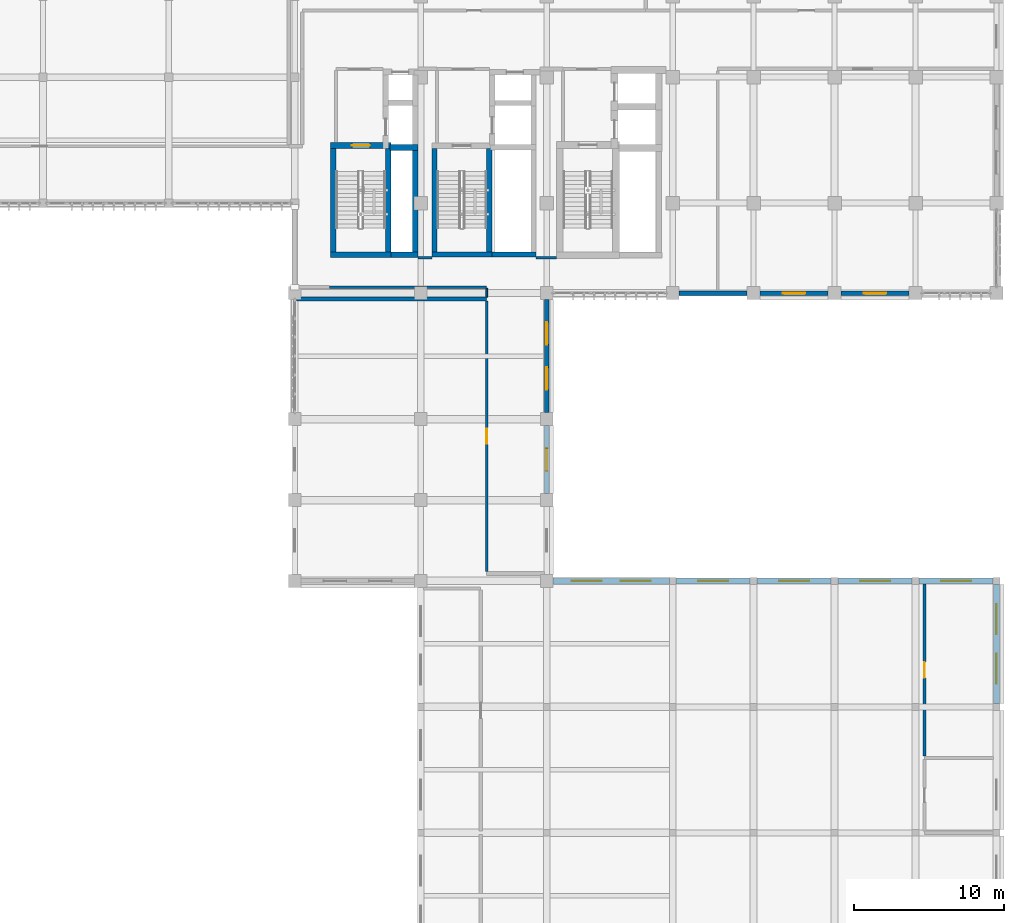
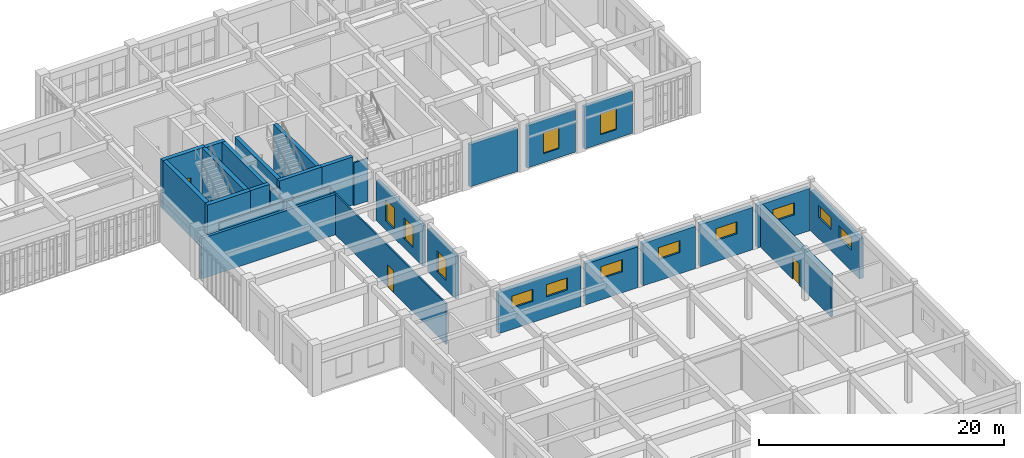
# One storey, part 95 of 106: 29 walls, 13 windows, 3 doors, 16 openings.
"""IFC4 building model written with IfcOpenShell, lengths in metres."""

from ifc_helpers import new_model, si_unit, direction, frame, frame_2d, origin, place, context, subcontext, project, spatial, rectangle, extrude, material, layer, layer_set, type_object, element, fill, save


model = new_model("IFC4")

# Units and contexts
model_context = context("Model", 3, precision=1e-05, world=origin(), true_north=direction((0.0, 1.0)))
body_context = subcontext(model_context, "Body", "Model", "MODEL_VIEW")
ifc_project = project(units=[si_unit("LENGTHUNIT", "METRE"), si_unit("AREAUNIT", "SQUARE_METRE"), si_unit("VOLUMEUNIT", "CUBIC_METRE"), si_unit("PLANEANGLEUNIT", "RADIAN"), si_unit("MASSUNIT", "GRAM", prefix="KILO")], contexts=[model_context])

# Site, building, storey
site_placement = place(None, origin())
site = spatial("IfcSite", under=ifc_project, at=site_placement, CompositionType="ELEMENT")
building_placement = place(site_placement, origin())
building = spatial("IfcBuilding", under=site, at=building_placement, Name="Krzemoval Escarpment Law Courts", CompositionType="ELEMENT")
storey_placement = place(building_placement, frame((0.0, 0.0, 5.10009765625)))
storey = spatial("IfcBuildingStorey", under=building, at=storey_placement, Name="L01", CompositionType="ELEMENT", Elevation=5.10009765625)

# Wall, opening, window
ifc_material_1 = material(Name="Precast concrete C40/50", Category="concrete")
ifc_layer_1 = layer(ifc_material_1, 0.300048828125)
ifc_layer_set_1 = layer_set([ifc_layer_1], Name="Precast concrete C40/50")
wall_type_1 = type_object("IfcWallType", Name="WL-EXT-300", PredefinedType="SOLIDWALL", material=ifc_layer_set_1)
wall_1_placement = place(storey_placement, frame((166.97509765625, 93.60009765625, 0.0), z_axis=(0.0, 0.0, 1.0), x_axis=(-1.0, 0.0, 0.0)))
wall_1 = element("IfcWall", 1, at=wall_1_placement, inside=storey, type_object=wall_type_1, Name="Exterior Wall EW-L01-0200", PredefinedType="SOLIDWALL", context=body_context, shape_type="SweptSolid", body=[
    extrude(rectangle(XDim=4.550048828125, YDim=0.300048828125, at=frame_2d((2.27490234375, 0.0))), origin(), (0.0, 0.0, 1.0), 4.219970703125),
])
opening_1_placement = place(wall_1_placement, frame((1.52490234375, 0.0, 0.89990234375)))
opening_1 = element("IfcOpeningElement", 2, at=opening_1_placement, cuts=wall_1, Name="Opening WN-L01-0192", PredefinedType="OPENING", context=body_context, shape_type="SweptSolid", body=[
    extrude(rectangle(XDim=1.5, YDim=2.10009765625, at=frame_2d((0.75, 1.050048828125))), frame((0.0, 0.16502, 0.0), z_axis=(0.0, -1.0, 0.0), x_axis=(1.0, 0.0, 0.0)), (0.0, 0.0, 1.0), 0.33005),
])
ifc_material_2 = material(Name="Thermally Broken Aluminium Frame with Triple Low-E Acoustic Glass", Category="aluminium")
window_type_1 = type_object("IfcWindowType", Name="WN-1500x2100", PartitioningType="SINGLE_PANEL", PredefinedType="WINDOW", material=ifc_material_2)
window_1_placement = place(opening_1_placement, origin())
window_1 = element("IfcWindow", 3, at=window_1_placement, inside=storey, type_object=window_type_1, Name="Facade Window WN-L01-0192", OverallHeight=2.10009765625, OverallWidth=1.5, PartitioningType="SINGLE_PANEL", PredefinedType="WINDOW", context=body_context, shape_type="SweptSolid", body=[
    extrude(rectangle(XDim=1.5, YDim=2.10009765625, at=frame_2d((0.75, 1.050048828125))), frame((0.0, 0.030029296875, 0.0), z_axis=(0.0, -1.0, 0.0), x_axis=(1.0, 0.0, 0.0)), (0.0, 0.0, 1.0), 0.06005859375),
])
fill(opening_1, window_1)

wall_2_placement = place(storey_placement, frame((161.574951171875, 93.60009765625, 0.0), z_axis=(0.0, 0.0, 1.0), x_axis=(-1.0, 0.0, 0.0)))
wall_2 = element("IfcWall", 4, at=wall_2_placement, inside=storey, type_object=wall_type_1, Name="Exterior Wall EW-L01-0201", PredefinedType="SOLIDWALL", context=body_context, shape_type="SweptSolid", body=[
    extrude(rectangle(XDim=4.550048828125, YDim=0.300048828125, at=frame_2d((2.27490234375, 0.0))), origin(), (0.0, 0.0, 1.0), 4.219970703125),
])
opening_2_placement = place(wall_2_placement, frame((1.52490234375, 0.0, 0.89990234375)))
opening_2 = element("IfcOpeningElement", 5, at=opening_2_placement, cuts=wall_2, Name="Opening WN-L01-0193", PredefinedType="OPENING", context=body_context, shape_type="SweptSolid", body=[
    extrude(rectangle(XDim=1.5, YDim=2.10009765625, at=frame_2d((0.75, 1.050048828125))), frame((0.0, 0.16502, 0.0), z_axis=(0.0, -1.0, 0.0), x_axis=(1.0, 0.0, 0.0)), (0.0, 0.0, 1.0), 0.33005),
])
window_2_placement = place(opening_2_placement, origin())
window_2 = element("IfcWindow", 6, at=window_2_placement, inside=storey, type_object=window_type_1, Name="Facade Window WN-L01-0193", OverallHeight=2.10009765625, OverallWidth=1.5, PartitioningType="SINGLE_PANEL", PredefinedType="WINDOW", context=body_context, shape_type="SweptSolid", body=[
    extrude(rectangle(XDim=1.5, YDim=2.10009765625, at=frame_2d((0.75, 1.050048828125))), frame((0.0, 0.030029296875, 0.0), z_axis=(0.0, -1.0, 0.0), x_axis=(1.0, 0.0, 0.0)), (0.0, 0.0, 1.0), 0.06005859375),
])
fill(opening_2, window_2)

# Wall
wall_3_placement = place(storey_placement, frame((156.175048828125, 93.60009765625, 0.0), z_axis=(0.0, 0.0, 1.0), x_axis=(-1.0, 0.0, 0.0)))
element("IfcWall", 7, at=wall_3_placement, inside=storey, type_object=wall_type_1, Name="Exterior Wall EW-L01-0202", PredefinedType="SOLIDWALL", context=body_context, shape_type="SweptSolid", body=[
    extrude(rectangle(XDim=4.550048828125, YDim=0.300048828125, at=frame_2d((2.27490234375, 0.0))), origin(), (0.0, 0.0, 1.0), 4.219970703125),
])

# Wall, openings, windows
wall_4_placement = place(storey_placement, frame((142.800048828125, 93.175048828125, 0.0), z_axis=(0.0, 0.0, 1.0), x_axis=(0.0, -1.0, 0.0)))
wall_4 = element("IfcWall", 8, at=wall_4_placement, inside=storey, type_object=wall_type_1, Name="Exterior Wall EW-L01-0203", PredefinedType="SOLIDWALL", context=body_context, shape_type="SweptSolid", body=[
    extrude(rectangle(XDim=7.550048828125, YDim=0.300048828125, at=frame_2d((3.77490234375, 0.0))), origin(), (0.0, 0.0, 1.0), 4.02001953125),
])
opening_3_placement = place(wall_4_placement, frame((1.51708984375, 0.0, 0.89990234375)))
opening_3 = element("IfcOpeningElement", 9, at=opening_3_placement, cuts=wall_4, Name="Opening WN-L01-0194", PredefinedType="OPENING", context=body_context, shape_type="SweptSolid", body=[
    extrude(rectangle(XDim=1.5, YDim=2.10009765625, at=frame_2d((0.75, 1.050048828125))), frame((0.0, 0.16502, 0.0), z_axis=(0.0, -1.0, 0.0), x_axis=(1.0, 0.0, 0.0)), (0.0, 0.0, 1.0), 0.33005),
])
opening_4_placement = place(wall_4_placement, frame((4.532958984375, 0.0, 0.89990234375)))
opening_4 = element("IfcOpeningElement", 10, at=opening_4_placement, cuts=wall_4, Name="Opening WN-L01-0195", PredefinedType="OPENING", context=body_context, shape_type="SweptSolid", body=[
    extrude(rectangle(XDim=1.5, YDim=2.10009765625, at=frame_2d((0.75, 1.050048828125))), frame((0.0, 0.16502, 0.0), z_axis=(0.0, -1.0, 0.0), x_axis=(1.0, 0.0, 0.0)), (0.0, 0.0, 1.0), 0.33005),
])
window_3_placement = place(opening_3_placement, origin())
window_3 = element("IfcWindow", 11, at=window_3_placement, inside=storey, type_object=window_type_1, Name="Facade Window WN-L01-0194", OverallHeight=2.10009765625, OverallWidth=1.5, PartitioningType="SINGLE_PANEL", PredefinedType="WINDOW", context=body_context, shape_type="SweptSolid", body=[
    extrude(rectangle(XDim=1.5, YDim=2.10009765625, at=frame_2d((0.75, 1.050048828125))), frame((0.0, 0.030029296875, 0.0), z_axis=(0.0, -1.0, 0.0), x_axis=(1.0, 0.0, 0.0)), (0.0, 0.0, 1.0), 0.06005859375),
])
fill(opening_3, window_3)
window_4_placement = place(opening_4_placement, origin())
window_4 = element("IfcWindow", 12, at=window_4_placement, inside=storey, type_object=window_type_1, Name="Facade Window WN-L01-0195", OverallHeight=2.10009765625, OverallWidth=1.5, PartitioningType="SINGLE_PANEL", PredefinedType="WINDOW", context=body_context, shape_type="SweptSolid", body=[
    extrude(rectangle(XDim=1.5, YDim=2.10009765625, at=frame_2d((0.75, 1.050048828125))), frame((0.0, 0.030029296875, 0.0), z_axis=(0.0, -1.0, 0.0), x_axis=(1.0, 0.0, 0.0)), (0.0, 0.0, 1.0), 0.06005859375),
])
fill(opening_4, window_4)

# Wall, opening, window
wall_5_placement = place(storey_placement, frame((142.800048828125, 84.77490234375, 0.0), z_axis=(0.0, 0.0, 1.0), x_axis=(0.0, -1.0, 0.0)))
wall_5 = element("IfcWall", 13, at=wall_5_placement, inside=storey, type_object=wall_type_1, Name="Exterior Wall EW-L01-0204", PredefinedType="SOLIDWALL", context=body_context, shape_type="SweptSolid", body=[
    extrude(rectangle(XDim=4.5498046875, YDim=0.300048828125, at=frame_2d((2.27490234375, 0.0))), origin(), (0.0, 0.0, 1.0), 4.27001953125),
])
opening_5_placement = place(wall_5_placement, frame((1.52490234375, 0.0, 0.89990234375)))
opening_5 = element("IfcOpeningElement", 14, at=opening_5_placement, cuts=wall_5, Name="Opening WN-L01-0196", PredefinedType="OPENING", context=body_context, shape_type="SweptSolid", body=[
    extrude(rectangle(XDim=1.5, YDim=2.10009765625, at=frame_2d((0.75, 1.050048828125))), frame((0.0, 0.16502, 0.0), z_axis=(0.0, -1.0, 0.0), x_axis=(1.0, 0.0, 0.0)), (0.0, 0.0, 1.0), 0.33005),
])
window_5_placement = place(opening_5_placement, origin())
window_5 = element("IfcWindow", 15, at=window_5_placement, inside=storey, type_object=window_type_1, Name="Facade Window WN-L01-0196", OverallHeight=2.10009765625, OverallWidth=1.5, PartitioningType="SINGLE_PANEL", PredefinedType="WINDOW", context=body_context, shape_type="SweptSolid", body=[
    extrude(rectangle(XDim=1.5, YDim=2.10009765625, at=frame_2d((0.75, 1.050048828125))), frame((0.0, 0.030029296875, 0.0), z_axis=(0.0, -1.0, 0.0), x_axis=(1.0, 0.0, 0.0)), (0.0, 0.0, 1.0), 0.06005859375),
])
fill(opening_5, window_5)

# Wall, openings, windows
ifc_material_3 = material(Name="Concrete C40/50", Category="concrete")
ifc_layer_2 = layer(ifc_material_3, 0.3798828125)
ifc_layer_set_2 = layer_set([ifc_layer_2], Name="Concrete C40/50")
wall_type_2 = type_object("IfcWallType", Name="WL-EXT-380", PredefinedType="SOLIDWALL", material=ifc_layer_set_2)
wall_6_placement = place(storey_placement, frame((143.22509765625, 74.39990234375, 0.0), z_axis=(0.0, 0.0, 1.0), x_axis=(1.0, 0.0, 0.0)))
wall_6 = element("IfcWall", 16, at=wall_6_placement, inside=storey, type_object=wall_type_2, Name="Exterior Wall EW-L01-0206", PredefinedType="SOLIDWALL", context=body_context, shape_type="SweptSolid", body=[
    extrude(rectangle(XDim=7.75, YDim=0.3798828125, at=frame_2d((3.875, 0.0))), origin(), (0.0, 0.0, 1.0), 4.06982421875),
])
opening_6_placement = place(wall_6_placement, frame((1.25, 0.0, 2.10009765625)))
opening_6 = element("IfcOpeningElement", 17, at=opening_6_placement, cuts=wall_6, Name="Opening WN-L01-0198", PredefinedType="OPENING", context=body_context, shape_type="SweptSolid", body=[
    extrude(rectangle(XDim=2.0, YDim=1.199951171875, at=frame_2d((1.0, 0.60009765625))), frame((0.0, 0.20494, 0.0), z_axis=(0.0, -1.0, 0.0), x_axis=(1.0, 0.0, 0.0)), (0.0, 0.0, 1.0), 0.40988),
])
opening_7_placement = place(wall_6_placement, frame((4.5, 0.0, 2.10009765625)))
opening_7 = element("IfcOpeningElement", 18, at=opening_7_placement, cuts=wall_6, Name="Opening WN-L01-0199", PredefinedType="OPENING", context=body_context, shape_type="SweptSolid", body=[
    extrude(rectangle(XDim=2.0, YDim=1.199951171875, at=frame_2d((1.0, 0.60009765625))), frame((0.0, 0.20494, 0.0), z_axis=(0.0, -1.0, 0.0), x_axis=(1.0, 0.0, 0.0)), (0.0, 0.0, 1.0), 0.40988),
])
ifc_material_4 = material(Name="Thermally Broken Aluminium Frame with Triple Low-E Acoustic Glass", Category="aluminium")
window_type_2 = type_object("IfcWindowType", Name="WN-2000x1200", PartitioningType="SINGLE_PANEL", PredefinedType="WINDOW", material=ifc_material_4)
window_6_placement = place(opening_6_placement, origin())
window_6 = element("IfcWindow", 19, at=window_6_placement, inside=storey, type_object=window_type_2, Name="Facade Window WN-L01-0198", OverallHeight=1.199951171875, OverallWidth=2.0, PartitioningType="SINGLE_PANEL", PredefinedType="WINDOW", context=body_context, shape_type="SweptSolid", body=[
    extrude(rectangle(XDim=2.0, YDim=1.199951171875, at=frame_2d((1.0, 0.60009765625))), frame((0.0, 0.030029296875, 0.0), z_axis=(0.0, -1.0, 0.0), x_axis=(1.0, 0.0, 0.0)), (0.0, 0.0, 1.0), 0.06005859375),
])
fill(opening_6, window_6)
window_7_placement = place(opening_7_placement, origin())
window_7 = element("IfcWindow", 20, at=window_7_placement, inside=storey, type_object=window_type_2, Name="Facade Window WN-L01-0199", OverallHeight=1.199951171875, OverallWidth=2.0, PartitioningType="SINGLE_PANEL", PredefinedType="WINDOW", context=body_context, shape_type="SweptSolid", body=[
    extrude(rectangle(XDim=2.0, YDim=1.199951171875, at=frame_2d((1.0, 0.60009765625))), frame((0.0, 0.030029296875, 0.0), z_axis=(0.0, -1.0, 0.0), x_axis=(1.0, 0.0, 0.0)), (0.0, 0.0, 1.0), 0.06005859375),
])
fill(opening_7, window_7)

# Wall, opening, window
wall_7_placement = place(storey_placement, frame((151.425048828125, 74.39990234375, 0.0), z_axis=(0.0, 0.0, 1.0), x_axis=(1.0, 0.0, 0.0)))
wall_7 = element("IfcWall", 21, at=wall_7_placement, inside=storey, type_object=wall_type_2, Name="Exterior Wall EW-L01-0207", PredefinedType="SOLIDWALL", context=body_context, shape_type="SweptSolid", body=[
    extrude(rectangle(XDim=4.949951171875, YDim=0.3798828125, at=frame_2d((2.47509765625, 0.0))), origin(), (0.0, 0.0, 1.0), 4.06982421875),
])
opening_8_placement = place(wall_7_placement, frame((1.47509765625, 0.0, 2.10009765625)))
opening_8 = element("IfcOpeningElement", 22, at=opening_8_placement, cuts=wall_7, Name="Opening WN-L01-0200", PredefinedType="OPENING", context=body_context, shape_type="SweptSolid", body=[
    extrude(rectangle(XDim=2.0, YDim=1.199951171875, at=frame_2d((1.0, 0.60009765625))), frame((0.0, 0.20494, 0.0), z_axis=(0.0, -1.0, 0.0), x_axis=(1.0, 0.0, 0.0)), (0.0, 0.0, 1.0), 0.40988),
])
window_8_placement = place(opening_8_placement, origin())
window_8 = element("IfcWindow", 23, at=window_8_placement, inside=storey, type_object=window_type_2, Name="Facade Window WN-L01-0200", OverallHeight=1.199951171875, OverallWidth=2.0, PartitioningType="SINGLE_PANEL", PredefinedType="WINDOW", context=body_context, shape_type="SweptSolid", body=[
    extrude(rectangle(XDim=2.0, YDim=1.199951171875, at=frame_2d((1.0, 0.60009765625))), frame((0.0, 0.030029296875, 0.0), z_axis=(0.0, -1.0, 0.0), x_axis=(1.0, 0.0, 0.0)), (0.0, 0.0, 1.0), 0.06005859375),
])
fill(opening_8, window_8)

wall_8_placement = place(storey_placement, frame((156.824951171875, 74.39990234375, 0.0), z_axis=(0.0, 0.0, 1.0), x_axis=(1.0, 0.0, 0.0)))
wall_8 = element("IfcWall", 24, at=wall_8_placement, inside=storey, type_object=wall_type_2, Name="Exterior Wall EW-L01-0208", PredefinedType="SOLIDWALL", context=body_context, shape_type="SweptSolid", body=[
    extrude(rectangle(XDim=4.949951171875, YDim=0.3798828125, at=frame_2d((2.47509765625, 0.0))), origin(), (0.0, 0.0, 1.0), 4.219970703125),
])
opening_9_placement = place(wall_8_placement, frame((1.47509765625, 0.0, 2.10009765625)))
opening_9 = element("IfcOpeningElement", 25, at=opening_9_placement, cuts=wall_8, Name="Opening WN-L01-0201", PredefinedType="OPENING", context=body_context, shape_type="SweptSolid", body=[
    extrude(rectangle(XDim=2.0, YDim=1.199951171875, at=frame_2d((1.0, 0.60009765625))), frame((0.0, 0.20494, 0.0), z_axis=(0.0, -1.0, 0.0), x_axis=(1.0, 0.0, 0.0)), (0.0, 0.0, 1.0), 0.40988),
])
window_9_placement = place(opening_9_placement, origin())
window_9 = element("IfcWindow", 26, at=window_9_placement, inside=storey, type_object=window_type_2, Name="Facade Window WN-L01-0201", OverallHeight=1.199951171875, OverallWidth=2.0, PartitioningType="SINGLE_PANEL", PredefinedType="WINDOW", context=body_context, shape_type="SweptSolid", body=[
    extrude(rectangle(XDim=2.0, YDim=1.199951171875, at=frame_2d((1.0, 0.60009765625))), frame((0.0, 0.030029296875, 0.0), z_axis=(0.0, -1.0, 0.0), x_axis=(1.0, 0.0, 0.0)), (0.0, 0.0, 1.0), 0.06005859375),
])
fill(opening_9, window_9)

wall_9_placement = place(storey_placement, frame((162.22509765625, 74.39990234375, 0.0), z_axis=(0.0, 0.0, 1.0), x_axis=(1.0, 0.0, 0.0)))
wall_9 = element("IfcWall", 27, at=wall_9_placement, inside=storey, type_object=wall_type_2, Name="Exterior Wall EW-L01-0209", PredefinedType="SOLIDWALL", context=body_context, shape_type="SweptSolid", body=[
    extrude(rectangle(XDim=4.949951171875, YDim=0.3798828125, at=frame_2d((2.47509765625, 0.0))), origin(), (0.0, 0.0, 1.0), 4.219970703125),
])
opening_10_placement = place(wall_9_placement, frame((1.47509765625, 0.0, 2.10009765625)))
opening_10 = element("IfcOpeningElement", 28, at=opening_10_placement, cuts=wall_9, Name="Opening WN-L01-0202", PredefinedType="OPENING", context=body_context, shape_type="SweptSolid", body=[
    extrude(rectangle(XDim=2.0, YDim=1.199951171875, at=frame_2d((1.0, 0.60009765625))), frame((0.0, 0.20494, 0.0), z_axis=(0.0, -1.0, 0.0), x_axis=(1.0, 0.0, 0.0)), (0.0, 0.0, 1.0), 0.40988),
])
window_10_placement = place(opening_10_placement, origin())
window_10 = element("IfcWindow", 29, at=window_10_placement, inside=storey, type_object=window_type_2, Name="Facade Window WN-L01-0202", OverallHeight=1.199951171875, OverallWidth=2.0, PartitioningType="SINGLE_PANEL", PredefinedType="WINDOW", context=body_context, shape_type="SweptSolid", body=[
    extrude(rectangle(XDim=2.0, YDim=1.199951171875, at=frame_2d((1.0, 0.60009765625))), frame((0.0, 0.030029296875, 0.0), z_axis=(0.0, -1.0, 0.0), x_axis=(1.0, 0.0, 0.0)), (0.0, 0.0, 1.0), 0.06005859375),
])
fill(opening_10, window_10)

wall_10_placement = place(storey_placement, frame((167.625, 74.39990234375, 0.0), z_axis=(0.0, 0.0, 1.0), x_axis=(1.0, 0.0, 0.0)))
wall_10 = element("IfcWall", 30, at=wall_10_placement, inside=storey, type_object=wall_type_2, Name="Exterior Wall EW-L01-0210", PredefinedType="SOLIDWALL", context=body_context, shape_type="SweptSolid", body=[
    extrude(rectangle(XDim=4.949951171875, YDim=0.3798828125, at=frame_2d((2.47509765625, 0.0))), origin(), (0.0, 0.0, 1.0), 4.219970703125),
])
opening_11_placement = place(wall_10_placement, frame((1.47509765625, 0.0, 2.10009765625)))
opening_11 = element("IfcOpeningElement", 31, at=opening_11_placement, cuts=wall_10, Name="Opening WN-L01-0203", PredefinedType="OPENING", context=body_context, shape_type="SweptSolid", body=[
    extrude(rectangle(XDim=2.0, YDim=1.199951171875, at=frame_2d((1.0, 0.60009765625))), frame((0.0, 0.20494, 0.0), z_axis=(0.0, -1.0, 0.0), x_axis=(1.0, 0.0, 0.0)), (0.0, 0.0, 1.0), 0.40988),
])
window_11_placement = place(opening_11_placement, origin())
window_11 = element("IfcWindow", 32, at=window_11_placement, inside=storey, type_object=window_type_2, Name="Facade Window WN-L01-0203", OverallHeight=1.199951171875, OverallWidth=2.0, PartitioningType="SINGLE_PANEL", PredefinedType="WINDOW", context=body_context, shape_type="SweptSolid", body=[
    extrude(rectangle(XDim=2.0, YDim=1.199951171875, at=frame_2d((1.0, 0.60009765625))), frame((0.0, 0.030029296875, 0.0), z_axis=(0.0, -1.0, 0.0), x_axis=(1.0, 0.0, 0.0)), (0.0, 0.0, 1.0), 0.06005859375),
])
fill(opening_11, window_11)

# Wall, openings, windows
wall_11_placement = place(storey_placement, frame((172.800048828125, 74.175048828125, 0.0), z_axis=(0.0, 0.0, 1.0), x_axis=(0.0, -1.0, 0.0)))
wall_11 = element("IfcWall", 33, at=wall_11_placement, inside=storey, type_object=wall_type_2, Name="Exterior Wall EW-L01-0211", PredefinedType="SOLIDWALL", context=body_context, shape_type="SweptSolid", body=[
    extrude(rectangle(XDim=7.949951171875, YDim=0.3798828125, at=frame_2d((3.97509765625, 0.0))), origin(), (0.0, 0.0, 1.0), 4.02001953125),
])
opening_12_placement = place(wall_11_placement, frame((1.31689453125, 0.0, 2.10009765625)))
opening_12 = element("IfcOpeningElement", 34, at=opening_12_placement, cuts=wall_11, Name="Opening WN-L01-0204", PredefinedType="OPENING", context=body_context, shape_type="SweptSolid", body=[
    extrude(rectangle(XDim=2.0, YDim=1.199951171875, at=frame_2d((1.0, 0.60009765625))), frame((0.0, 0.20494, 0.0), z_axis=(0.0, -1.0, 0.0), x_axis=(1.0, 0.0, 0.0)), (0.0, 0.0, 1.0), 0.40988),
])
opening_13_placement = place(wall_11_placement, frame((4.633056640625, 0.0, 2.10009765625)))
opening_13 = element("IfcOpeningElement", 35, at=opening_13_placement, cuts=wall_11, Name="Opening WN-L01-0205", PredefinedType="OPENING", context=body_context, shape_type="SweptSolid", body=[
    extrude(rectangle(XDim=2.0, YDim=1.199951171875, at=frame_2d((1.0, 0.60009765625))), frame((0.0, 0.20494, 0.0), z_axis=(0.0, -1.0, 0.0), x_axis=(1.0, 0.0, 0.0)), (0.0, 0.0, 1.0), 0.40988),
])
window_12_placement = place(opening_12_placement, origin())
window_12 = element("IfcWindow", 36, at=window_12_placement, inside=storey, type_object=window_type_2, Name="Facade Window WN-L01-0204", OverallHeight=1.199951171875, OverallWidth=2.0, PartitioningType="SINGLE_PANEL", PredefinedType="WINDOW", context=body_context, shape_type="SweptSolid", body=[
    extrude(rectangle(XDim=2.0, YDim=1.199951171875, at=frame_2d((1.0, 0.60009765625))), frame((0.0, 0.030029296875, 0.0), z_axis=(0.0, -1.0, 0.0), x_axis=(1.0, 0.0, 0.0)), (0.0, 0.0, 1.0), 0.06005859375),
])
fill(opening_12, window_12)
window_13_placement = place(opening_13_placement, origin())
window_13 = element("IfcWindow", 37, at=window_13_placement, inside=storey, type_object=window_type_2, Name="Facade Window WN-L01-0205", OverallHeight=1.199951171875, OverallWidth=2.0, PartitioningType="SINGLE_PANEL", PredefinedType="WINDOW", context=body_context, shape_type="SweptSolid", body=[
    extrude(rectangle(XDim=2.0, YDim=1.199951171875, at=frame_2d((1.0, 0.60009765625))), frame((0.0, 0.030029296875, 0.0), z_axis=(0.0, -1.0, 0.0), x_axis=(1.0, 0.0, 0.0)), (0.0, 0.0, 1.0), 0.06005859375),
])
fill(opening_13, window_13)

# Wall
ifc_material_5 = material(Name="Light Internal Subdivision Partition", Category="gypsum")
ifc_layer_3 = layer(ifc_material_5, 0.114990234375)
ifc_layer_set_3 = layer_set([ifc_layer_3], Name="Light Internal Subdivision Partition")
wall_type_3 = type_object("IfcWallType", Name="WL-PRT-115", PredefinedType="PARTITIONING", material=ifc_layer_set_3)
wall_12_placement = place(storey_placement, frame((138.800048828125, 93.33203125, 0.0), z_axis=(0.0, 0.0, 1.0), x_axis=(0.0, 1.0, 0.0)))
element("IfcWall", 38, at=wall_12_placement, inside=storey, type_object=wall_type_3, Name="Interior Partition PW-L01-0357", PredefinedType="PARTITIONING", context=body_context, shape_type="SweptSolid", body=[
    extrude(rectangle(XDim=0.5859375, YDim=0.114990234375, at=frame_2d((0.29296875, 0.0))), origin(), (0.0, 0.0, 1.0), 4.119873046875),
])

# Wall, opening, door
ifc_material_6 = material(Name="Sanitary Moisture-Resistant Partition", Category="gypsum")
ifc_layer_4 = layer(ifc_material_6, 0.139892578125)
ifc_layer_set_4 = layer_set([ifc_layer_4], Name="Sanitary Moisture-Resistant Partition")
wall_type_4 = type_object("IfcWallType", Name="WL-PRT-140", PredefinedType="PARTITIONING", material=ifc_layer_set_4)
wall_13_placement = place(storey_placement, frame((138.800048828125, 75.031982421875, 0.0), z_axis=(0.0, 0.0, 1.0), x_axis=(0.0, 1.0, 0.0)))
wall_13 = element("IfcWall", 39, at=wall_13_placement, inside=storey, type_object=wall_type_4, Name="Interior Partition PW-L01-0356", PredefinedType="PARTITIONING", context=body_context, shape_type="SweptSolid", body=[
    extrude(rectangle(XDim=18.0361328125, YDim=0.139892578125, at=frame_2d((9.01806640625, 0.0))), origin(), (0.0, 0.0, 1.0), 4.06982421875),
])
opening_14_placement = place(wall_13_placement, frame((8.51806640625, 0.0, 0.0)))
opening_14 = element("IfcOpeningElement", 40, at=opening_14_placement, cuts=wall_13, Name="Opening D-L01-0122", PredefinedType="OPENING", context=body_context, shape_type="SweptSolid", body=[
    extrude(rectangle(XDim=1.0, YDim=2.199951171875, at=frame_2d((0.5, 1.10009765625))), frame((0.0, 0.08495, 0.0), z_axis=(0.0, -1.0, 0.0), x_axis=(1.0, 0.0, 0.0)), (0.0, 0.0, 1.0), 0.16989),
])
ifc_material_7 = material(Name="Engineered Solid-Core Oak Acoustic Timber", Category="wood")
door_type_1 = type_object("IfcDoorType", Name="DR-INT-1000x2200", OperationType="SINGLE_SWING_LEFT", PredefinedType="DOOR", material=ifc_material_7)
door_1_placement = place(opening_14_placement, origin())
door_1 = element("IfcDoor", 41, at=door_1_placement, inside=storey, type_object=door_type_1, Name="Room Door D-L01-0122", OperationType="SINGLE_SWING_LEFT", OverallHeight=2.199951171875, OverallWidth=1.0, PredefinedType="DOOR", context=body_context, shape_type="SweptSolid", body=[
    extrude(rectangle(XDim=1.0, YDim=2.199951171875, at=frame_2d((0.5, 1.10009765625))), frame((0.0, 0.02490234375, 0.0), z_axis=(0.0, -1.0, 0.0), x_axis=(1.0, 0.0, 0.0)), (0.0, 0.0, 1.0), 0.050048828125),
])
fill(opening_14, door_1)

# Walls
ifc_material_8 = material(Name="Office Acoustic Partition Wall", Category="gypsum")
ifc_layer_5 = layer(ifc_material_8, 0.14990234375)
ifc_layer_set_5 = layer_set([ifc_layer_5], Name="Office Acoustic Partition Wall")
wall_type_5 = type_object("IfcWallType", Name="WL-PRT-150", PredefinedType="PARTITIONING", material=ifc_layer_set_5)
wall_14_placement = place(storey_placement, frame((134.22998046875, 95.949951171875, 0.0), z_axis=(0.0, 0.0, 1.0), x_axis=(1.0, 0.0, 0.0)))
element("IfcWall", 42, at=wall_14_placement, inside=storey, type_object=wall_type_5, Name="Interior Partition PW-L01-0275", PredefinedType="PARTITIONING", context=body_context, shape_type="SweptSolid", body=[
    extrude(rectangle(XDim=0.919921875, YDim=0.14990234375, at=frame_2d((0.4599609375, 0.0))), origin(), (0.0, 0.0, 1.0), 4.27001953125),
])
wall_15_placement = place(storey_placement, frame((142.10009765625, 95.949951171875, 0.0), z_axis=(0.0, 0.0, 1.0), x_axis=(1.0, 0.0, 0.0)))
element("IfcWall", 43, at=wall_15_placement, inside=storey, type_object=wall_type_5, Name="Interior Partition PW-L01-0276", PredefinedType="PARTITIONING", context=body_context, shape_type="SweptSolid", body=[
    extrude(rectangle(XDim=1.349853515625, YDim=0.14990234375, at=frame_2d((0.6748046875, 0.0))), origin(), (0.0, 0.0, 1.0), 4.27001953125),
])
ifc_material_9 = material(Name="Jury Suite Partition Assembly", Category="gypsum")
ifc_layer_6 = layer(ifc_material_9, 0.159912109375)
ifc_layer_set_6 = layer_set([ifc_layer_6], Name="Jury Suite Partition Assembly")
wall_type_6 = type_object("IfcWallType", Name="WL-PRT-160", PredefinedType="PARTITIONING", material=ifc_layer_set_6)
wall_16_placement = place(storey_placement, frame((128.300048828125, 94.0, 0.0), z_axis=(0.0, 0.0, 1.0), x_axis=(1.0, 0.0, 0.0)))
element("IfcWall", 44, at=wall_16_placement, inside=storey, type_object=wall_type_6, Name="Interior Partition PW-L01-0274", PredefinedType="PARTITIONING", context=body_context, shape_type="SweptSolid", body=[
    extrude(rectangle(XDim=10.5, YDim=0.159912109375, at=frame_2d((5.25, 0.0))), origin(), (0.0, 0.0, 1.0), 4.27001953125),
])

# Wall, opening, door
ifc_material_10 = material(Name="Solid Calcium-Silicate Custody Blockwork Partition", Category="masonry")
ifc_layer_7 = layer(ifc_material_10, 0.219970703125)
ifc_layer_set_7 = layer_set([ifc_layer_7], Name="Solid Calcium-Silicate Custody Blockwork Partition")
wall_type_7 = type_object("IfcWallType", Name="WL-PRT-220", PredefinedType="PARTITIONING", material=ifc_layer_set_7)
wall_17_placement = place(storey_placement, frame((168.0, 62.7119140625, 0.0), z_axis=(0.0, 0.0, 1.0), x_axis=(0.0, 1.0, 0.0)))
wall_17 = element("IfcWall", 45, at=wall_17_placement, inside=storey, type_object=wall_type_7, Name="Interior Partition PW-L01-0363", PredefinedType="PARTITIONING", context=body_context, shape_type="SweptSolid", body=[
    extrude(rectangle(XDim=11.49609375, YDim=0.219970703125, at=frame_2d((5.748046875, 0.0))), origin(), (0.0, 0.0, 1.0), 4.219970703125),
])
opening_15_placement = place(wall_17_placement, frame((5.222900390625, 0.0, 0.0)))
opening_15 = element("IfcOpeningElement", 46, at=opening_15_placement, cuts=wall_17, Name="Opening D-L01-0121", PredefinedType="OPENING", context=body_context, shape_type="SweptSolid", body=[
    extrude(rectangle(XDim=1.050048828125, YDim=2.14990234375, at=frame_2d((0.52490234375, 1.074951171875))), frame((0.0, 0.12499, 0.0), z_axis=(0.0, -1.0, 0.0), x_axis=(1.0, 0.0, 0.0)), (0.0, 0.0, 1.0), 0.24997),
])
ifc_material_11 = material(Name="Galvanised Steel S355", Category="steel")
door_type_2 = type_object("IfcDoorType", Name="DR-CUS-1050x2150", OperationType="SINGLE_SWING_LEFT", PredefinedType="DOOR", material=ifc_material_11)
door_2_placement = place(opening_15_placement, origin())
door_2 = element("IfcDoor", 47, at=door_2_placement, inside=storey, type_object=door_type_2, Name="Room Door D-L01-0121", OperationType="SINGLE_SWING_RIGHT", OverallHeight=2.14990234375, OverallWidth=1.050048828125, PredefinedType="DOOR", context=body_context, shape_type="SweptSolid", body=[
    extrude(rectangle(XDim=1.050048828125, YDim=2.14990234375, at=frame_2d((0.52490234375, 1.074951171875))), frame((0.0, 0.02490234375, 0.0), z_axis=(0.0, -1.0, 0.0), x_axis=(1.0, 0.0, 0.0)), (0.0, 0.0, 1.0), 0.050048828125),
])
fill(opening_15, door_2)

# Walls
ifc_material_12 = material(Name="Acoustic Double-Stud Gypsum and Mineral Wool Wall", Category="gypsum")
ifc_layer_8 = layer(ifc_material_12, 0.260009765625)
ifc_layer_set_8 = layer_set([ifc_layer_8], Name="Acoustic Double-Stud Gypsum and Mineral Wool Wall")
wall_type_8 = type_object("IfcWallType", Name="WL-PRT-260", PredefinedType="PARTITIONING", material=ifc_layer_set_8)
wall_18_placement = place(storey_placement, frame((126.114013671875, 93.199951171875, 0.0), z_axis=(0.0, 0.0, 1.0), x_axis=(1.0, 0.0, 0.0)))
element("IfcWall", 48, at=wall_18_placement, inside=storey, type_object=wall_type_8, Name="Interior Partition PW-L01-0272", PredefinedType="PARTITIONING", context=body_context, shape_type="SweptSolid", body=[
    extrude(rectangle(XDim=12.68603515625, YDim=0.260009765625, at=frame_2d((6.343017578125, 0.0))), origin(), (0.0, 0.0, 1.0), 4.02001953125),
])
ifc_material_13 = material(Name="Concrete C40/50", Category="concrete")
ifc_layer_9 = layer(ifc_material_13, 0.35009765625)
ifc_layer_set_9 = layer_set([ifc_layer_9], Name="Concrete C40/50")
wall_type_9 = type_object("IfcWallType", Name="WL-SHW-350", PredefinedType="SHEAR", material=ifc_layer_set_9)
wall_19_placement = place(storey_placement, frame((132.429931640625, 96.159912109375, 0.0), z_axis=(0.0, 0.0, 1.0), x_axis=(1.0, 0.0, 0.0)))
element("IfcWall", 49, at=wall_19_placement, inside=storey, type_object=wall_type_9, Name="Riser Shaft Wall SW-L01-0038", PredefinedType="SHEAR", context=body_context, shape_type="SweptSolid", body=[
    extrude(rectangle(XDim=1.800048828125, YDim=0.35009765625, at=frame_2d((0.89990234375, 0.0))), origin(), (0.0, 0.0, 1.0), 4.81982421875),
])
wall_20_placement = place(storey_placement, frame((134.0400390625, 96.330078125, 0.0), z_axis=(0.0, 0.0, 1.0), x_axis=(0.0, 1.0, 0.0)))
element("IfcWall", 50, at=wall_20_placement, inside=storey, type_object=wall_type_9, Name="Riser Shaft Wall SW-L01-0039", PredefinedType="SHEAR", context=body_context, shape_type="SweptSolid", body=[
    extrude(rectangle(XDim=7.177001953125, YDim=0.35009765625, at=frame_2d((3.58837890625, 0.0))), origin(), (0.0, 0.0, 1.0), 4.81982421875),
])
wall_21_placement = place(storey_placement, frame((135.14990234375, 96.175048828125, 0.0), z_axis=(0.0, 0.0, 1.0), x_axis=(1.0, 0.0, 0.0)))
element("IfcWall", 51, at=wall_21_placement, inside=storey, type_object=wall_type_9, Name="Core Stair Shear Wall SW-L01-0178", PredefinedType="SHEAR", context=body_context, shape_type="SweptSolid", body=[
    extrude(rectangle(XDim=4.0, YDim=0.35009765625, at=frame_2d((2.0, 0.0))), origin(), (0.0, 0.0, 1.0), 4.81982421875),
])
for number, where, z_axis, x_axis, name in (
    (52, (135.324951171875, 96.35205078125, 0.0), (0.0, 0.0, 1.0), (0.0, 1.0, 0.0), "Core Stair Shear Wall SW-L01-0179"),
    (53, (138.97509765625, 96.35205078125, 0.0), (0.0, 0.0, 1.0), (0.0, 1.0, 0.0), "Core Stair Shear Wall SW-L01-0180"),
):
    element("IfcWall", number, at=place(storey_placement, frame(where, z_axis=z_axis, x_axis=x_axis)), inside=storey, type_object=wall_type_9, Name=name, PredefinedType="SHEAR", context=body_context, shape_type="SweptSolid", body=[
        extrude(rectangle(XDim=6.89599609375, YDim=0.35009765625, at=frame_2d((3.447998046875, 0.0))), origin(), (0.0, 0.0, 1.0), 4.81982421875),
    ])
wall_22_placement = place(storey_placement, frame((139.14990234375, 96.175048828125, 0.0), z_axis=(0.0, 0.0, 1.0), x_axis=(1.0, 0.0, 0.0)))
element("IfcWall", 54, at=wall_22_placement, inside=storey, type_object=wall_type_9, Name="Riser Shaft Wall SW-L01-0188", PredefinedType="SHEAR", context=body_context, shape_type="SweptSolid", body=[
    extrude(rectangle(XDim=2.9501953125, YDim=0.35009765625, at=frame_2d((1.47509765625, 0.0))), origin(), (0.0, 0.0, 1.0), 4.81982421875),
])

# Wall, opening, door
ifc_material_14 = material(Name="Concrete C40/50", Category="concrete")
ifc_layer_10 = layer(ifc_material_14, 0.3798828125)
ifc_layer_set_10 = layer_set([ifc_layer_10], Name="Concrete C40/50")
wall_type_10 = type_object("IfcWallType", Name="WL-SHW-380", PredefinedType="SHEAR", material=ifc_layer_set_10)
wall_23_placement = place(storey_placement, frame((128.3701171875, 103.43994140625, 0.0), z_axis=(0.0, 0.0, 1.0), x_axis=(1.0, 0.0, 0.0)))
wall_23 = element("IfcWall", 55, at=wall_23_placement, inside=storey, type_object=wall_type_10, Name="Core Stair Shear Wall SW-L01-0027", PredefinedType="SHEAR", context=body_context, shape_type="SweptSolid", body=[
    extrude(rectangle(XDim=4.059814453125, YDim=0.3798828125, at=frame_2d((2.02978515625, 0.0))), origin(), (0.0, 0.0, 1.0), 4.81982421875),
])
opening_16_placement = place(wall_23_placement, frame((1.429931640625, 0.0, 0.0)))
opening_16 = element("IfcOpeningElement", 56, at=opening_16_placement, cuts=wall_23, Name="Opening SD-ST1-L01", PredefinedType="OPENING", context=body_context, shape_type="SweptSolid", body=[
    extrude(rectangle(XDim=1.199951171875, YDim=2.199951171875, at=frame_2d((0.60009765625, 1.10009765625))), frame((0.0, 0.20494, 0.0), z_axis=(0.0, -1.0, 0.0), x_axis=(1.0, 0.0, 0.0)), (0.0, 0.0, 1.0), 0.40988),
])
ifc_material_15 = material(Name="Galvanised Steel S355", Category="steel")
door_type_3 = type_object("IfcDoorType", Name="DR-STR-1200x2200", OperationType="SINGLE_SWING_LEFT", PredefinedType="DOOR", material=ifc_material_15)
door_3_placement = place(opening_16_placement, origin())
door_3 = element("IfcDoor", 57, at=door_3_placement, inside=storey, type_object=door_type_3, Name="Stair Exit Door SD-ST1-L01", OperationType="SINGLE_SWING_RIGHT", OverallHeight=2.199951171875, OverallWidth=1.199951171875, PredefinedType="DOOR", context=body_context, shape_type="SweptSolid", body=[
    extrude(rectangle(XDim=1.199951171875, YDim=2.199951171875, at=frame_2d((0.60009765625, 1.10009765625))), frame((0.0, 0.02490234375, 0.0), z_axis=(0.0, -1.0, 0.0), x_axis=(1.0, 0.0, 0.0)), (0.0, 0.0, 1.0), 0.050048828125),
])
fill(opening_16, door_3)

# Walls
wall_24_placement = place(storey_placement, frame((128.3701171875, 96.159912109375, 0.0), z_axis=(0.0, 0.0, 1.0), x_axis=(1.0, 0.0, 0.0)))
element("IfcWall", 58, at=wall_24_placement, inside=storey, type_object=wall_type_10, Name="Core Stair Shear Wall SW-L01-0028", PredefinedType="SHEAR", context=body_context, shape_type="SweptSolid", body=[
    extrude(rectangle(XDim=4.059814453125, YDim=0.3798828125, at=frame_2d((2.02978515625, 0.0))), origin(), (0.0, 0.0, 1.0), 4.81982421875),
])
for number, where, z_axis, x_axis, name in (
    (59, (128.56005859375, 96.35205078125, 0.0), (0.0, 0.0, 1.0), (0.0, 1.0, 0.0), "Core Stair Shear Wall SW-L01-0029"),
    (60, (132.239990234375, 96.35205078125, 0.0), (0.0, 0.0, 1.0), (0.0, 1.0, 0.0), "Core Stair Shear Wall SW-L01-0030"),
):
    element("IfcWall", number, at=place(storey_placement, frame(where, z_axis=z_axis, x_axis=x_axis)), inside=storey, type_object=wall_type_10, Name=name, PredefinedType="SHEAR", context=body_context, shape_type="SweptSolid", body=[
        extrude(rectangle(XDim=6.89599609375, YDim=0.3798828125, at=frame_2d((3.447998046875, 0.0))), origin(), (0.0, 0.0, 1.0), 4.81982421875),
    ])
wall_25_placement = place(storey_placement, frame((132.363037109375, 103.31005859375, 0.0), z_axis=(0.0, 0.0, 1.0), x_axis=(1.0, 0.0, 0.0)))
element("IfcWall", 61, at=wall_25_placement, inside=storey, type_object=wall_type_10, Name="Lift Shaft Shear Wall SW-L01-0031", PredefinedType="SHEAR", context=body_context, shape_type="SweptSolid", body=[
    extrude(rectangle(XDim=1.866943359375, YDim=0.3798828125, at=frame_2d((0.93359375, 0.0))), origin(), (0.0, 0.0, 1.0), 4.81982421875),
])

save(model, "model.ifc")
